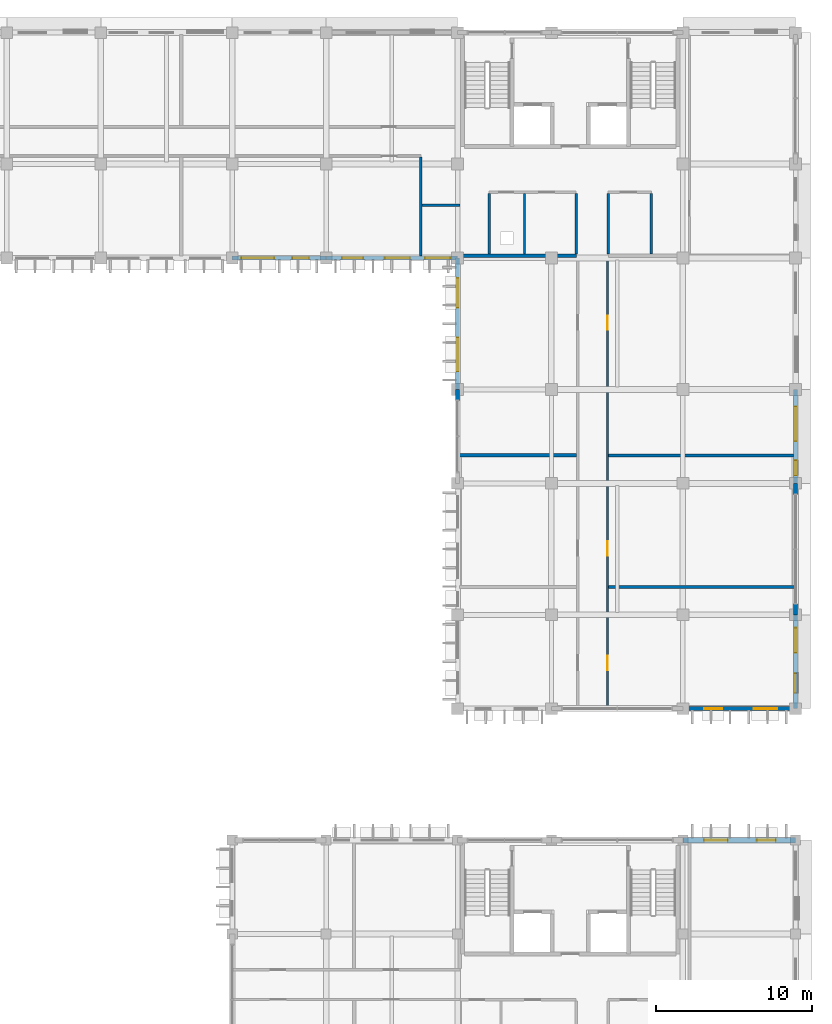
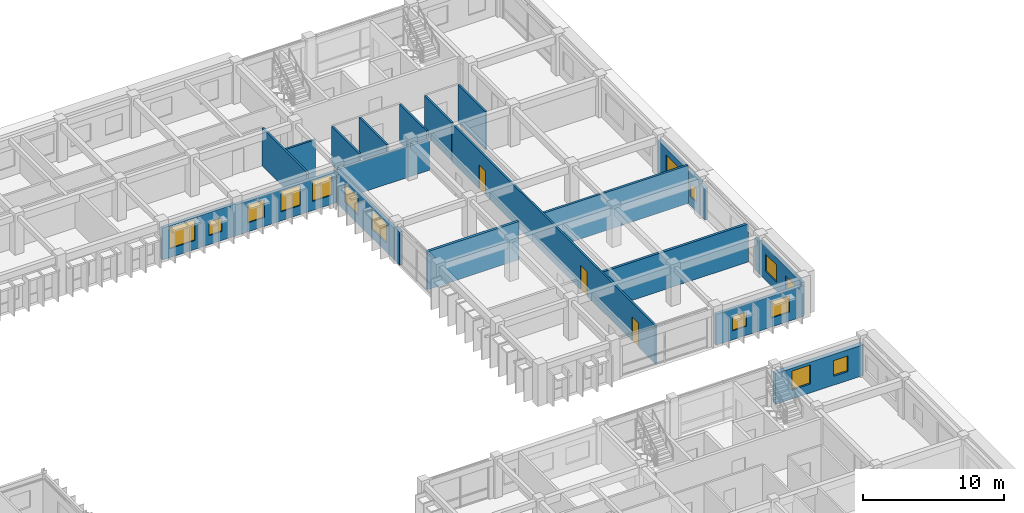
# One storey, part 65 of 88: 22 walls, 15 windows, 3 doors, 18 openings.
"""IFC4 building model written with IfcOpenShell, lengths in metres."""

from ifc_helpers import new_model, si_unit, direction, frame, frame_2d, origin, place, context, subcontext, project, spatial, rectangle, extrude, material, layer, layer_set, type_object, element, fill, save


model = new_model("IFC4")

# Units and contexts
model_context = context("Model", 3, precision=1e-05, world=origin(), true_north=direction((0.0, 1.0)))
body_context = subcontext(model_context, "Body", "Model", "MODEL_VIEW")
ifc_project = project(units=[si_unit("LENGTHUNIT", "METRE"), si_unit("AREAUNIT", "SQUARE_METRE"), si_unit("VOLUMEUNIT", "CUBIC_METRE"), si_unit("PLANEANGLEUNIT", "RADIAN"), si_unit("MASSUNIT", "GRAM", prefix="KILO"), si_unit("THERMODYNAMICTEMPERATUREUNIT", "KELVIN")], contexts=[model_context])

# Site, building, storey
site_placement = place(None, origin())
site = spatial("IfcSite", under=ifc_project, at=site_placement, CompositionType="ELEMENT")
building_placement = place(site_placement, origin())
building = spatial("IfcBuilding", under=site, at=building_placement, Name="Thalorik Housing Commons", CompositionType="ELEMENT")
storey_placement = place(building_placement, frame((0.0, 0.0, 4.5)))
storey = spatial("IfcBuildingStorey", under=building, at=storey_placement, Name="L01", CompositionType="ELEMENT", Elevation=4.5)

# Wall
ifc_material_1 = material(Name="Masonry fire-rated corridor wall", Category="masonry")
ifc_layer_1 = layer(ifc_material_1, 0.14990234375, Name="Masonry fire-rated corridor wall", Category="masonry")
ifc_layer_set_1 = layer_set([ifc_layer_1], Name="Masonry fire-rated corridor wall")
wall_type_1 = type_object("IfcWallType", Name="ARC-WAL-CORR-150", PredefinedType="PARTITIONING", material=ifc_layer_set_1)
wall_1_placement = place(storey_placement, frame((150.050048828125, 109.324462890625, 0.0), z_axis=(0.0, 0.0, 1.0), x_axis=(0.0, 1.0, 0.0)))
element("IfcWall", 1, at=wall_1_placement, inside=storey, type_object=wall_type_1, Name="L01 Block B Vestibule Cheek Wall", PredefinedType="PARTITIONING", context=body_context, shape_type="SweptSolid", body=[
    extrude(rectangle(XDim=6.318603515625, YDim=0.14990234375, at=frame_2d((3.1591796875, 0.0))), origin(), (0.0, 0.0, 1.0), 3.300048828125),
])

# Wall, openings, doors
wall_2_placement = place(storey_placement, frame((161.97998046875, 80.4599609375, 0.0), z_axis=(0.0, 0.0, 1.0), x_axis=(0.0, 1.0, 0.0)))
wall_2 = element("IfcWall", 2, at=wall_2_placement, inside=storey, type_object=wall_type_1, Name="L01 Block B E Corridor Wall 2", PredefinedType="PARTITIONING", context=body_context, shape_type="SweptSolid", body=[
    extrude(rectangle(XDim=28.880126953125, YDim=0.14990234375, at=frame_2d((14.43994140625, 0.0))), origin(), (0.0, 0.0, 1.0), 3.300048828125),
])
opening_1_placement = place(wall_2_placement, frame((2.40185546875, 0.0, 0.0)))
opening_1 = element("IfcOpeningElement", 3, at=opening_1_placement, cuts=wall_2, Name="Opening ID-1022", PredefinedType="OPENING", context=body_context, shape_type="SweptSolid", body=[
    extrude(rectangle(XDim=0.919921875, YDim=2.10009765625, at=frame_2d((0.4599609375, 1.050048828125))), frame((0.0, 0.0849609375, 0.0), z_axis=(0.0, -1.0, 0.0), x_axis=(1.0, 0.0, 0.0)), (0.0, 0.0, 1.0), 0.169921875),
])
opening_2_placement = place(wall_2_placement, frame((9.705078125, 0.0, 0.0)))
opening_2 = element("IfcOpeningElement", 4, at=opening_2_placement, cuts=wall_2, Name="Opening ID-1023", PredefinedType="OPENING", context=body_context, shape_type="SweptSolid", body=[
    extrude(rectangle(XDim=0.919921875, YDim=2.10009765625, at=frame_2d((0.4599609375, 1.050048828125))), frame((0.0, 0.0849609375, 0.0), z_axis=(0.0, -1.0, 0.0), x_axis=(1.0, 0.0, 0.0)), (0.0, 0.0, 1.0), 0.169921875),
])
opening_3_placement = place(wall_2_placement, frame((24.138916015625, 0.0, 0.0)))
opening_3 = element("IfcOpeningElement", 5, at=opening_3_placement, cuts=wall_2, Name="Opening ID-1024", PredefinedType="OPENING", context=body_context, shape_type="SweptSolid", body=[
    extrude(rectangle(XDim=0.919921875, YDim=2.10009765625, at=frame_2d((0.4599609375, 1.050048828125))), frame((0.0, 0.0849609375, 0.0), z_axis=(0.0, -1.0, 0.0), x_axis=(1.0, 0.0, 0.0)), (0.0, 0.0, 1.0), 0.169921875),
])
ifc_material_2 = material(Name="Solid core hardwood timber", Category="wood")
door_type = type_object("IfcDoorType", Name="ARC-DR-FD30-920", OperationType="NOTDEFINED", PredefinedType="DOOR", material=ifc_material_2)
door_1_placement = place(opening_1_placement, origin())
door_1 = element("IfcDoor", 6, at=door_1_placement, inside=storey, type_object=door_type, Name="L01 Music and Craft Practice Room Door", OperationType="SINGLE_SWING_LEFT", OverallHeight=2.10009765625, OverallWidth=0.919921875, PredefinedType="DOOR", context=body_context, shape_type="SweptSolid", body=[
    extrude(rectangle(XDim=0.919921875, YDim=2.10009765625, at=frame_2d((0.4599609375, 1.050048828125))), frame((0.0, 0.02490234375, 0.0), z_axis=(0.0, -1.0, 0.0), x_axis=(1.0, 0.0, 0.0)), (0.0, 0.0, 1.0), 0.050048828125),
])
fill(opening_1, door_1)
door_2_placement = place(opening_2_placement, origin())
door_2 = element("IfcDoor", 7, at=door_2_placement, inside=storey, type_object=door_type, Name="L01 Ceramics and Print Workshop Door", OperationType="SINGLE_SWING_RIGHT", OverallHeight=2.10009765625, OverallWidth=0.919921875, PredefinedType="DOOR", context=body_context, shape_type="SweptSolid", body=[
    extrude(rectangle(XDim=0.919921875, YDim=2.10009765625, at=frame_2d((0.4599609375, 1.050048828125))), frame((0.0, 0.02490234375, 0.0), z_axis=(0.0, -1.0, 0.0), x_axis=(1.0, 0.0, 0.0)), (0.0, 0.0, 1.0), 0.050048828125),
])
fill(opening_2, door_2)
door_3_placement = place(opening_3_placement, origin())
door_3 = element("IfcDoor", 8, at=door_3_placement, inside=storey, type_object=door_type, Name="L01 Residents Health and Quiet Room Door", OperationType="SINGLE_SWING_LEFT", OverallHeight=2.10009765625, OverallWidth=0.919921875, PredefinedType="DOOR", context=body_context, shape_type="SweptSolid", body=[
    extrude(rectangle(XDim=0.919921875, YDim=2.10009765625, at=frame_2d((0.4599609375, 1.050048828125))), frame((0.0, 0.02490234375, 0.0), z_axis=(0.0, -1.0, 0.0), x_axis=(1.0, 0.0, 0.0)), (0.0, 0.0, 1.0), 0.050048828125),
])
fill(opening_3, door_3)

# Wall
ifc_layer_2 = layer(ifc_material_1, 0.1650390625, Name="Masonry fire-rated corridor wall", Category="masonry")
ifc_layer_set_2 = layer_set([ifc_layer_2], Name="Masonry fire-rated corridor wall")
wall_type_2 = type_object("IfcWallType", Name="ARC-WAL-CORR-165", PredefinedType="PARTITIONING", material=ifc_layer_set_2)
wall_3_placement = place(storey_placement, frame((150.126953125, 112.570068359375, 0.0), z_axis=(0.0, 0.0, 1.0), x_axis=(1.0, 0.0, 0.0)))
element("IfcWall", 9, at=wall_3_placement, inside=storey, type_object=wall_type_2, Name="L01 Block B Vestibule South Wall", PredefinedType="PARTITIONING", context=body_context, shape_type="SweptSolid", body=[
    extrude(rectangle(XDim=2.4130859375, YDim=0.1650390625, at=frame_2d((1.20654296875, 0.0))), origin(), (0.0, 0.0, 1.0), 3.300048828125),
])

# Wall, openings, windows
ifc_material_3 = material(Name="White precast concrete C40/50", Category="concrete")
ifc_layer_3 = layer(ifc_material_3, 0.2451171875, Name="White precast concrete C40/50", Category="concrete")
ifc_layer_set_3 = layer_set([ifc_layer_3], Name="White precast concrete C40/50")
wall_type_3 = type_object("IfcWallType", Name="ARC-WAL-EXT-245", PredefinedType="STANDARD", material=ifc_layer_set_3)
wall_4_placement = place(storey_placement, frame((138.0, 109.199951171875, 0.0), z_axis=(0.0, 0.0, 1.0), x_axis=(1.0, 0.0, 0.0)))
wall_4 = element("IfcWall", 10, at=wall_4_placement, inside=storey, type_object=wall_type_3, Name="L01 Exterior Wall WAL-EXT-L01-B-0432", PredefinedType="STANDARD", context=body_context, shape_type="SweptSolid", body=[
    extrude(rectangle(XDim=6.0, YDim=0.2451171875, at=frame_2d((3.0, 0.0))), origin(), (0.0, 0.0, 1.0), 2.77490234375),
])
opening_4_placement = place(wall_4_placement, frame((0.580078125, 0.0, 0.780029296875)))
opening_4 = element("IfcOpeningElement", 11, at=opening_4_placement, cuts=wall_4, Name="Opening W-27", PredefinedType="OPENING", context=body_context, shape_type="SweptSolid", body=[
    extrude(rectangle(XDim=2.10009765625, YDim=1.800048828125, at=frame_2d((1.050048828125, 0.89990234375))), frame((0.0, 0.132568359375, 0.0), z_axis=(0.0, -1.0, 0.0), x_axis=(1.0, 0.0, 0.0)), (0.0, 0.0, 1.0), 0.26513671875),
])
opening_5_placement = place(wall_4_placement, frame((3.844970703125, 0.0, 0.780029296875)))
opening_5 = element("IfcOpeningElement", 12, at=opening_5_placement, cuts=wall_4, Name="Opening W-44", PredefinedType="OPENING", context=body_context, shape_type="SweptSolid", body=[
    extrude(rectangle(XDim=1.050048828125, YDim=1.199951171875, at=frame_2d((0.52490234375, 0.60009765625))), frame((0.0, 0.132568359375, 0.0), z_axis=(0.0, -1.0, 0.0), x_axis=(1.0, 0.0, 0.0)), (0.0, 0.0, 1.0), 0.26513671875),
])
ifc_material_4 = material(Name="Anodised aluminium and solar-control low-E glass", Category="aluminium")
window_type_1 = type_object("IfcWindowType", Name="ARC-WIN-27", PartitioningType="DOUBLE_PANEL_VERTICAL", PredefinedType="WINDOW", material=ifc_material_4)
window_1_placement = place(opening_4_placement, origin())
window_1 = element("IfcWindow", 13, at=window_1_placement, inside=storey, type_object=window_type_1, Name="L01 Facade Window 771", OverallHeight=1.800048828125, OverallWidth=2.10009765625, PartitioningType="DOUBLE_PANEL_VERTICAL", PredefinedType="WINDOW", context=body_context, shape_type="SweptSolid", body=[
    extrude(rectangle(XDim=2.10009765625, YDim=1.800048828125, at=frame_2d((1.050048828125, 0.89990234375))), frame((0.0, 0.030029296875, 0.0), z_axis=(0.0, -1.0, 0.0), x_axis=(1.0, 0.0, 0.0)), (0.0, 0.0, 1.0), 0.06005859375),
])
fill(opening_4, window_1)
window_type_2 = type_object("IfcWindowType", Name="ARC-WIN-44", PartitioningType="SINGLE_PANEL", PredefinedType="WINDOW", material=ifc_material_4)
window_2_placement = place(opening_5_placement, origin())
window_2 = element("IfcWindow", 14, at=window_2_placement, inside=storey, type_object=window_type_2, Name="L01 Facade Window 772", OverallHeight=1.199951171875, OverallWidth=1.050048828125, PartitioningType="SINGLE_PANEL", PredefinedType="WINDOW", context=body_context, shape_type="SweptSolid", body=[
    extrude(rectangle(XDim=1.050048828125, YDim=1.199951171875, at=frame_2d((0.52490234375, 0.60009765625))), frame((0.0, 0.030029296875, 0.0), z_axis=(0.0, -1.0, 0.0), x_axis=(1.0, 0.0, 0.0)), (0.0, 0.0, 1.0), 0.06005859375),
])
fill(opening_5, window_2)

wall_5_placement = place(storey_placement, frame((144.0, 109.199951171875, 0.0), z_axis=(0.0, 0.0, 1.0), x_axis=(1.0, 0.0, 0.0)))
wall_5 = element("IfcWall", 15, at=wall_5_placement, inside=storey, type_object=wall_type_3, Name="L01 Exterior Wall WAL-EXT-L01-B-0433", PredefinedType="STANDARD", context=body_context, shape_type="SweptSolid", body=[
    extrude(rectangle(XDim=8.39990234375, YDim=0.2451171875, at=frame_2d((4.199951171875, 0.0))), origin(), (0.0, 0.0, 1.0), 2.675048828125),
])
opening_6_placement = place(wall_5_placement, frame((1.014892578125, 0.0, 0.780029296875)))
opening_6 = element("IfcOpeningElement", 16, at=opening_6_placement, cuts=wall_5, Name="Opening W-07", PredefinedType="OPENING", context=body_context, shape_type="SweptSolid", body=[
    extrude(rectangle(XDim=1.35009765625, YDim=1.550048828125, at=frame_2d((0.675048828125, 0.77490234375))), frame((0.0, 0.132568359375, 0.0), z_axis=(0.0, -1.0, 0.0), x_axis=(1.0, 0.0, 0.0)), (0.0, 0.0, 1.0), 0.26513671875),
])
opening_7_placement = place(wall_5_placement, frame((3.75, 0.0, 0.780029296875)))
opening_7 = element("IfcOpeningElement", 17, at=opening_7_placement, cuts=wall_5, Name="Opening W-14", PredefinedType="OPENING", context=body_context, shape_type="SweptSolid", body=[
    extrude(rectangle(XDim=1.60009765625, YDim=1.75, at=frame_2d((0.800048828125, 0.875))), frame((0.0, 0.132568359375, 0.0), z_axis=(0.0, -1.0, 0.0), x_axis=(1.0, 0.0, 0.0)), (0.0, 0.0, 1.0), 0.26513671875),
])
opening_8_placement = place(wall_5_placement, frame((6.330078125, 0.0, 0.780029296875)))
opening_8 = element("IfcOpeningElement", 18, at=opening_8_placement, cuts=wall_5, Name="Opening W-14", PredefinedType="OPENING", context=body_context, shape_type="SweptSolid", body=[
    extrude(rectangle(XDim=1.60009765625, YDim=1.75, at=frame_2d((0.800048828125, 0.875))), frame((0.0, 0.132568359375, 0.0), z_axis=(0.0, -1.0, 0.0), x_axis=(1.0, 0.0, 0.0)), (0.0, 0.0, 1.0), 0.26513671875),
])
window_type_3 = type_object("IfcWindowType", Name="ARC-WIN-07", PartitioningType="SINGLE_PANEL", PredefinedType="WINDOW", material=ifc_material_4)
window_3_placement = place(opening_6_placement, origin())
window_3 = element("IfcWindow", 19, at=window_3_placement, inside=storey, type_object=window_type_3, Name="L01 Facade Window 773", OverallHeight=1.550048828125, OverallWidth=1.35009765625, PartitioningType="SINGLE_PANEL", PredefinedType="WINDOW", context=body_context, shape_type="SweptSolid", body=[
    extrude(rectangle(XDim=1.35009765625, YDim=1.550048828125, at=frame_2d((0.675048828125, 0.77490234375))), frame((0.0, 0.030029296875, 0.0), z_axis=(0.0, -1.0, 0.0), x_axis=(1.0, 0.0, 0.0)), (0.0, 0.0, 1.0), 0.06005859375),
])
fill(opening_6, window_3)
window_type_4 = type_object("IfcWindowType", Name="ARC-WIN-14", PartitioningType="DOUBLE_PANEL_VERTICAL", PredefinedType="WINDOW", material=ifc_material_4)
window_4_placement = place(opening_7_placement, origin())
window_4 = element("IfcWindow", 20, at=window_4_placement, inside=storey, type_object=window_type_4, Name="L01 Facade Window 774", OverallHeight=1.75, OverallWidth=1.60009765625, PartitioningType="DOUBLE_PANEL_VERTICAL", PredefinedType="WINDOW", context=body_context, shape_type="SweptSolid", body=[
    extrude(rectangle(XDim=1.60009765625, YDim=1.75, at=frame_2d((0.800048828125, 0.875))), frame((0.0, 0.030029296875, 0.0), z_axis=(0.0, -1.0, 0.0), x_axis=(1.0, 0.0, 0.0)), (0.0, 0.0, 1.0), 0.06005859375),
])
fill(opening_7, window_4)
window_5_placement = place(opening_8_placement, origin())
window_5 = element("IfcWindow", 21, at=window_5_placement, inside=storey, type_object=window_type_4, Name="L01 Facade Window 775", OverallHeight=1.75, OverallWidth=1.60009765625, PartitioningType="DOUBLE_PANEL_VERTICAL", PredefinedType="WINDOW", context=body_context, shape_type="SweptSolid", body=[
    extrude(rectangle(XDim=1.60009765625, YDim=1.75, at=frame_2d((0.800048828125, 0.875))), frame((0.0, 0.030029296875, 0.0), z_axis=(0.0, -1.0, 0.0), x_axis=(1.0, 0.0, 0.0)), (0.0, 0.0, 1.0), 0.06005859375),
])
fill(opening_8, window_5)

wall_6_placement = place(storey_placement, frame((152.39990234375, 109.199951171875, 0.0), z_axis=(0.0, 0.0, 1.0), x_axis=(0.0, -1.0, 0.0)))
wall_6 = element("IfcWall", 22, at=wall_6_placement, inside=storey, type_object=wall_type_3, Name="L01 Exterior Wall WAL-EXT-L01-B-0434", PredefinedType="STANDARD", context=body_context, shape_type="SweptSolid", body=[
    extrude(rectangle(XDim=8.39990234375, YDim=0.2451171875, at=frame_2d((4.199951171875, 0.0))), origin(), (0.0, 0.0, 1.0), 2.72509765625),
])
opening_9_placement = place(wall_6_placement, frame((1.280029296875, 0.0, 0.780029296875)))
opening_9 = element("IfcOpeningElement", 23, at=opening_9_placement, cuts=wall_6, Name="Opening W-21", PredefinedType="OPENING", context=body_context, shape_type="SweptSolid", body=[
    extrude(rectangle(XDim=1.89990234375, YDim=1.550048828125, at=frame_2d((0.949951171875, 0.77490234375))), frame((0.0, 0.132568359375, 0.0), z_axis=(0.0, -1.0, 0.0), x_axis=(1.0, 0.0, 0.0)), (0.0, 0.0, 1.0), 0.26513671875),
])
opening_10_placement = place(wall_6_placement, frame((5.094970703125, 0.0, 0.780029296875)))
opening_10 = element("IfcOpeningElement", 24, at=opening_10_placement, cuts=wall_6, Name="Opening W-28", PredefinedType="OPENING", context=body_context, shape_type="SweptSolid", body=[
    extrude(rectangle(XDim=2.14990234375, YDim=1.64990234375, at=frame_2d((1.074951171875, 0.824951171875))), frame((0.0, 0.132568359375, 0.0), z_axis=(0.0, -1.0, 0.0), x_axis=(1.0, 0.0, 0.0)), (0.0, 0.0, 1.0), 0.26513671875),
])
window_type_5 = type_object("IfcWindowType", Name="ARC-WIN-21", PartitioningType="DOUBLE_PANEL_VERTICAL", PredefinedType="WINDOW", material=ifc_material_4)
window_6_placement = place(opening_9_placement, origin())
window_6 = element("IfcWindow", 25, at=window_6_placement, inside=storey, type_object=window_type_5, Name="L01 Facade Window 776", OverallHeight=1.550048828125, OverallWidth=1.89990234375, PartitioningType="DOUBLE_PANEL_VERTICAL", PredefinedType="WINDOW", context=body_context, shape_type="SweptSolid", body=[
    extrude(rectangle(XDim=1.89990234375, YDim=1.550048828125, at=frame_2d((0.949951171875, 0.77490234375))), frame((0.0, 0.030029296875, 0.0), z_axis=(0.0, -1.0, 0.0), x_axis=(1.0, 0.0, 0.0)), (0.0, 0.0, 1.0), 0.06005859375),
])
fill(opening_9, window_6)
window_type_6 = type_object("IfcWindowType", Name="ARC-WIN-28", PartitioningType="DOUBLE_PANEL_VERTICAL", PredefinedType="WINDOW", material=ifc_material_4)
window_7_placement = place(opening_10_placement, origin())
window_7 = element("IfcWindow", 26, at=window_7_placement, inside=storey, type_object=window_type_6, Name="L01 Facade Window 777", OverallHeight=1.64990234375, OverallWidth=2.14990234375, PartitioningType="DOUBLE_PANEL_VERTICAL", PredefinedType="WINDOW", context=body_context, shape_type="SweptSolid", body=[
    extrude(rectangle(XDim=2.14990234375, YDim=1.64990234375, at=frame_2d((1.074951171875, 0.824951171875))), frame((0.0, 0.030029296875, 0.0), z_axis=(0.0, -1.0, 0.0), x_axis=(1.0, 0.0, 0.0)), (0.0, 0.0, 1.0), 0.06005859375),
])
fill(opening_10, window_7)

# Wall
wall_7_placement = place(storey_placement, frame((152.39990234375, 100.800048828125, 0.0), z_axis=(0.0, 0.0, 1.0), x_axis=(0.0, -1.0, 0.0)))
element("IfcWall", 27, at=wall_7_placement, inside=storey, type_object=wall_type_3, Name="L01 Exterior Wall WAL-PIERL-L01-B-0435", PredefinedType="STANDARD", context=body_context, shape_type="SweptSolid", body=[
    extrude(rectangle(XDim=0.699951171875, YDim=0.2451171875, at=frame_2d((0.35009765625, 0.0))), origin(), (0.0, 0.0, 1.0), 2.875),
])

# Wall, openings, windows
wall_8_placement = place(storey_placement, frame((166.800048828125, 80.39990234375, 0.0), z_axis=(0.0, 0.0, 1.0), x_axis=(1.0, 0.0, 0.0)))
wall_8 = element("IfcWall", 28, at=wall_8_placement, inside=storey, type_object=wall_type_3, Name="L01 Exterior Wall WAL-EXT-L01-B-0440", PredefinedType="STANDARD", context=body_context, shape_type="SweptSolid", body=[
    extrude(rectangle(XDim=7.199951171875, YDim=0.2451171875, at=frame_2d((3.60009765625, 0.0))), origin(), (0.0, 0.0, 1.0), 2.675048828125),
])
opening_11_placement = place(wall_8_placement, frame((1.35498046875, 0.0, 0.780029296875)))
opening_11 = element("IfcOpeningElement", 29, at=opening_11_placement, cuts=wall_8, Name="Opening W-45", PredefinedType="OPENING", context=body_context, shape_type="SweptSolid", body=[
    extrude(rectangle(XDim=1.14990234375, YDim=1.25, at=frame_2d((0.574951171875, 0.625))), frame((0.0, 0.132568359375, 0.0), z_axis=(0.0, -1.0, 0.0), x_axis=(1.0, 0.0, 0.0)), (0.0, 0.0, 1.0), 0.26513671875),
])
opening_12_placement = place(wall_8_placement, frame((4.510009765625, 0.0, 0.780029296875)))
opening_12 = element("IfcOpeningElement", 30, at=opening_12_placement, cuts=wall_8, Name="Opening W-52", PredefinedType="OPENING", context=body_context, shape_type="SweptSolid", body=[
    extrude(rectangle(XDim=1.52001953125, YDim=1.419921875, at=frame_2d((0.760009765625, 0.7099609375))), frame((0.0, 0.132568359375, 0.0), z_axis=(0.0, -1.0, 0.0), x_axis=(1.0, 0.0, 0.0)), (0.0, 0.0, 1.0), 0.26513671875),
])
window_type_7 = type_object("IfcWindowType", Name="ARC-WIN-45", PartitioningType="SINGLE_PANEL", PredefinedType="WINDOW", material=ifc_material_4)
window_8_placement = place(opening_11_placement, origin())
window_8 = element("IfcWindow", 31, at=window_8_placement, inside=storey, type_object=window_type_7, Name="L01 Facade Window 785", OverallHeight=1.25, OverallWidth=1.14990234375, PartitioningType="SINGLE_PANEL", PredefinedType="WINDOW", context=body_context, shape_type="SweptSolid", body=[
    extrude(rectangle(XDim=1.14990234375, YDim=1.25, at=frame_2d((0.574951171875, 0.625))), frame((0.0, 0.030029296875, 0.0), z_axis=(0.0, -1.0, 0.0), x_axis=(1.0, 0.0, 0.0)), (0.0, 0.0, 1.0), 0.06005859375),
])
fill(opening_11, window_8)
window_type_8 = type_object("IfcWindowType", Name="ARC-WIN-52", PartitioningType="SINGLE_PANEL", PredefinedType="WINDOW", material=ifc_material_4)
window_9_placement = place(opening_12_placement, origin())
window_9 = element("IfcWindow", 32, at=window_9_placement, inside=storey, type_object=window_type_8, Name="L01 Facade Window 786", OverallHeight=1.419921875, OverallWidth=1.52001953125, PartitioningType="SINGLE_PANEL", PredefinedType="WINDOW", context=body_context, shape_type="SweptSolid", body=[
    extrude(rectangle(XDim=1.52001953125, YDim=1.419921875, at=frame_2d((0.760009765625, 0.7099609375))), frame((0.0, 0.030029296875, 0.0), z_axis=(0.0, -1.0, 0.0), x_axis=(1.0, 0.0, 0.0)), (0.0, 0.0, 1.0), 0.06005859375),
])
fill(opening_12, window_9)

wall_9_placement = place(storey_placement, frame((174.0, 80.39990234375, 0.0), z_axis=(0.0, 0.0, 1.0), x_axis=(0.0, 1.0, 0.0)))
wall_9 = element("IfcWall", 33, at=wall_9_placement, inside=storey, type_object=wall_type_3, Name="L01 Exterior Wall WAL-EXT-L01-B-0441", PredefinedType="STANDARD", context=body_context, shape_type="SweptSolid", body=[
    extrude(rectangle(XDim=6.0, YDim=0.2451171875, at=frame_2d((3.0, 0.0))), origin(), (0.0, 0.0, 1.0), 2.875),
])
opening_13_placement = place(wall_9_placement, frame((1.0048828125, 0.0, 0.780029296875)))
opening_13 = element("IfcOpeningElement", 34, at=opening_13_placement, cuts=wall_9, Name="Opening W-46", PredefinedType="OPENING", context=body_context, shape_type="SweptSolid", body=[
    extrude(rectangle(XDim=1.25, YDim=1.300048828125, at=frame_2d((0.625, 0.64990234375))), frame((0.0, 0.132568359375, 0.0), z_axis=(0.0, -1.0, 0.0), x_axis=(1.0, 0.0, 0.0)), (0.0, 0.0, 1.0), 0.26513671875),
])
opening_14_placement = place(wall_9_placement, frame((3.580078125, 0.0, 0.780029296875)))
opening_14 = element("IfcOpeningElement", 35, at=opening_14_placement, cuts=wall_9, Name="Opening W-53", PredefinedType="OPENING", context=body_context, shape_type="SweptSolid", body=[
    extrude(rectangle(XDim=1.580078125, YDim=1.47998046875, at=frame_2d((0.7900390625, 0.739990234375))), frame((0.0, 0.132568359375, 0.0), z_axis=(0.0, -1.0, 0.0), x_axis=(1.0, 0.0, 0.0)), (0.0, 0.0, 1.0), 0.26513671875),
])
window_type_9 = type_object("IfcWindowType", Name="ARC-WIN-46", PartitioningType="SINGLE_PANEL", PredefinedType="WINDOW", material=ifc_material_4)
window_10_placement = place(opening_13_placement, origin())
window_10 = element("IfcWindow", 36, at=window_10_placement, inside=storey, type_object=window_type_9, Name="L01 Facade Window 787", OverallHeight=1.300048828125, OverallWidth=1.25, PartitioningType="SINGLE_PANEL", PredefinedType="WINDOW", context=body_context, shape_type="SweptSolid", body=[
    extrude(rectangle(XDim=1.25, YDim=1.300048828125, at=frame_2d((0.625, 0.64990234375))), frame((0.0, 0.030029296875, 0.0), z_axis=(0.0, -1.0, 0.0), x_axis=(1.0, 0.0, 0.0)), (0.0, 0.0, 1.0), 0.06005859375),
])
fill(opening_13, window_10)
window_type_10 = type_object("IfcWindowType", Name="ARC-WIN-53", PartitioningType="SINGLE_PANEL", PredefinedType="WINDOW", material=ifc_material_4)
window_11_placement = place(opening_14_placement, origin())
window_11 = element("IfcWindow", 37, at=window_11_placement, inside=storey, type_object=window_type_10, Name="L01 Facade Window 788", OverallHeight=1.47998046875, OverallWidth=1.580078125, PartitioningType="SINGLE_PANEL", PredefinedType="WINDOW", context=body_context, shape_type="SweptSolid", body=[
    extrude(rectangle(XDim=1.580078125, YDim=1.47998046875, at=frame_2d((0.7900390625, 0.739990234375))), frame((0.0, 0.030029296875, 0.0), z_axis=(0.0, -1.0, 0.0), x_axis=(1.0, 0.0, 0.0)), (0.0, 0.0, 1.0), 0.06005859375),
])
fill(opening_14, window_11)

# Walls
wall_10_placement = place(storey_placement, frame((174.0, 86.39990234375, 0.0), z_axis=(0.0, 0.0, 1.0), x_axis=(0.0, 1.0, 0.0)))
element("IfcWall", 38, at=wall_10_placement, inside=storey, type_object=wall_type_3, Name="L01 Exterior Wall WAL-PIERL-L01-B-0442", PredefinedType="STANDARD", context=body_context, shape_type="SweptSolid", body=[
    extrude(rectangle(XDim=0.7001953125, YDim=0.2451171875, at=frame_2d((0.35009765625, 0.0))), origin(), (0.0, 0.0, 1.0), 2.72509765625),
])
wall_11_placement = place(storey_placement, frame((174.0, 94.10009765625, 0.0), z_axis=(0.0, 0.0, 1.0), x_axis=(0.0, 1.0, 0.0)))
element("IfcWall", 39, at=wall_11_placement, inside=storey, type_object=wall_type_3, Name="L01 Exterior Wall WAL-PIERR-L01-B-0442", PredefinedType="STANDARD", context=body_context, shape_type="SweptSolid", body=[
    extrude(rectangle(XDim=0.699951171875, YDim=0.2451171875, at=frame_2d((0.35009765625, 0.0))), origin(), (0.0, 0.0, 1.0), 2.72509765625),
])

# Wall, openings, windows
wall_12_placement = place(storey_placement, frame((174.0, 94.800048828125, 0.0), z_axis=(0.0, 0.0, 1.0), x_axis=(0.0, 1.0, 0.0)))
wall_12 = element("IfcWall", 40, at=wall_12_placement, inside=storey, type_object=wall_type_3, Name="L01 Exterior Wall WAL-EXT-L01-B-0443", PredefinedType="STANDARD", context=body_context, shape_type="SweptSolid", body=[
    extrude(rectangle(XDim=6.0, YDim=0.2451171875, at=frame_2d((3.0, 0.0))), origin(), (0.0, 0.0, 1.0), 2.875),
])
opening_15_placement = place(wall_12_placement, frame((0.510009765625, 0.0, 0.780029296875)))
opening_15 = element("IfcOpeningElement", 41, at=opening_15_placement, cuts=wall_12, Name="Opening W-43", PredefinedType="OPENING", context=body_context, shape_type="SweptSolid", body=[
    extrude(rectangle(XDim=0.949951171875, YDim=1.14990234375, at=frame_2d((0.47509765625, 0.574951171875))), frame((0.0, 0.132568359375, 0.0), z_axis=(0.0, -1.0, 0.0), x_axis=(1.0, 0.0, 0.0)), (0.0, 0.0, 1.0), 0.26513671875),
])
opening_16_placement = place(wall_12_placement, frame((2.695068359375, 0.0, 0.780029296875)))
opening_16 = element("IfcOpeningElement", 42, at=opening_16_placement, cuts=wall_12, Name="Opening W-29", PredefinedType="OPENING", context=body_context, shape_type="SweptSolid", body=[
    extrude(rectangle(XDim=2.199951171875, YDim=1.5, at=frame_2d((1.10009765625, 0.75))), frame((0.0, 0.132568359375, 0.0), z_axis=(0.0, -1.0, 0.0), x_axis=(1.0, 0.0, 0.0)), (0.0, 0.0, 1.0), 0.26513671875),
])
window_type_11 = type_object("IfcWindowType", Name="ARC-WIN-29", PartitioningType="DOUBLE_PANEL_VERTICAL", PredefinedType="WINDOW", material=ifc_material_4)
window_12_placement = place(opening_16_placement, origin())
window_12 = element("IfcWindow", 43, at=window_12_placement, inside=storey, type_object=window_type_11, Name="L01 Facade Window 790", OverallHeight=1.5, OverallWidth=2.199951171875, PartitioningType="DOUBLE_PANEL_VERTICAL", PredefinedType="WINDOW", context=body_context, shape_type="SweptSolid", body=[
    extrude(rectangle(XDim=2.199951171875, YDim=1.5, at=frame_2d((1.10009765625, 0.75))), frame((0.0, 0.030029296875, 0.0), z_axis=(0.0, -1.0, 0.0), x_axis=(1.0, 0.0, 0.0)), (0.0, 0.0, 1.0), 0.06005859375),
])
fill(opening_16, window_12)
window_type_12 = type_object("IfcWindowType", Name="ARC-WIN-43", PartitioningType="SINGLE_PANEL", PredefinedType="WINDOW", material=ifc_material_4)
window_13_placement = place(opening_15_placement, origin())
window_13 = element("IfcWindow", 44, at=window_13_placement, inside=storey, type_object=window_type_12, Name="L01 Facade Window 789", OverallHeight=1.14990234375, OverallWidth=0.949951171875, PartitioningType="SINGLE_PANEL", PredefinedType="WINDOW", context=body_context, shape_type="SweptSolid", body=[
    extrude(rectangle(XDim=0.949951171875, YDim=1.14990234375, at=frame_2d((0.47509765625, 0.574951171875))), frame((0.0, 0.030029296875, 0.0), z_axis=(0.0, -1.0, 0.0), x_axis=(1.0, 0.0, 0.0)), (0.0, 0.0, 1.0), 0.06005859375),
])
fill(opening_15, window_13)

ifc_layer_4 = layer(ifc_material_3, 0.35009765625, Name="White precast concrete C40/50", Category="concrete")
ifc_layer_set_4 = layer_set([ifc_layer_4], Name="White precast concrete C40/50")
wall_type_4 = type_object("IfcWallType", Name="ARC-WAL-EXT-350", PredefinedType="STANDARD", material=ifc_layer_set_4)
wall_13_placement = place(storey_placement, frame((174.0, 72.0, 0.0), z_axis=(0.0, 0.0, 1.0), x_axis=(-1.0, 0.0, 0.0)))
wall_13 = element("IfcWall", 45, at=wall_13_placement, inside=storey, type_object=wall_type_4, Name="L01 Exterior Wall WAL-EXT-L01-D-1142", PredefinedType="STANDARD", context=body_context, shape_type="SweptSolid", body=[
    extrude(rectangle(XDim=7.199951171875, YDim=0.35009765625, at=frame_2d((3.60009765625, 0.0))), origin(), (0.0, 0.0, 1.0), 2.675048828125),
])
opening_17_placement = place(wall_13_placement, frame((1.2724609375, 0.0, 0.780029296875)))
opening_17 = element("IfcOpeningElement", 46, at=opening_17_placement, cuts=wall_13, Name="Opening W-04", PredefinedType="OPENING", context=body_context, shape_type="SweptSolid", body=[
    extrude(rectangle(XDim=1.199951171875, YDim=1.35009765625, at=frame_2d((0.60009765625, 0.675048828125))), frame((0.0, 0.18505859375, 0.0), z_axis=(0.0, -1.0, 0.0), x_axis=(1.0, 0.0, 0.0)), (0.0, 0.0, 1.0), 0.3701171875),
])
opening_18_placement = place(wall_13_placement, frame((4.347412109375, 0.0, 0.780029296875)))
opening_18 = element("IfcOpeningElement", 47, at=opening_18_placement, cuts=wall_13, Name="Opening W-11", PredefinedType="OPENING", context=body_context, shape_type="SweptSolid", body=[
    extrude(rectangle(XDim=1.5, YDim=1.64990234375, at=frame_2d((0.75, 0.824951171875))), frame((0.0, 0.18505859375, 0.0), z_axis=(0.0, -1.0, 0.0), x_axis=(1.0, 0.0, 0.0)), (0.0, 0.0, 1.0), 0.3701171875),
])
window_type_13 = type_object("IfcWindowType", Name="ARC-WIN-04", PartitioningType="SINGLE_PANEL", PredefinedType="WINDOW", material=ifc_material_4)
window_14_placement = place(opening_17_placement, origin())
window_14 = element("IfcWindow", 48, at=window_14_placement, inside=storey, type_object=window_type_13, Name="L01 Facade Window 2094", OverallHeight=1.35009765625, OverallWidth=1.199951171875, PartitioningType="SINGLE_PANEL", PredefinedType="WINDOW", context=body_context, shape_type="SweptSolid", body=[
    extrude(rectangle(XDim=1.199951171875, YDim=1.35009765625, at=frame_2d((0.60009765625, 0.675048828125))), frame((0.0, 0.030029296875, 0.0), z_axis=(0.0, -1.0, 0.0), x_axis=(1.0, 0.0, 0.0)), (0.0, 0.0, 1.0), 0.06005859375),
])
fill(opening_17, window_14)
window_type_14 = type_object("IfcWindowType", Name="ARC-WIN-11", PartitioningType="SINGLE_PANEL", PredefinedType="WINDOW", material=ifc_material_4)
window_15_placement = place(opening_18_placement, origin())
window_15 = element("IfcWindow", 49, at=window_15_placement, inside=storey, type_object=window_type_14, Name="L01 Facade Window 2095", OverallHeight=1.64990234375, OverallWidth=1.5, PartitioningType="SINGLE_PANEL", PredefinedType="WINDOW", context=body_context, shape_type="SweptSolid", body=[
    extrude(rectangle(XDim=1.5, YDim=1.64990234375, at=frame_2d((0.75, 0.824951171875))), frame((0.0, 0.030029296875, 0.0), z_axis=(0.0, -1.0, 0.0), x_axis=(1.0, 0.0, 0.0)), (0.0, 0.0, 1.0), 0.06005859375),
])
fill(opening_18, window_15)

# Walls
ifc_material_5 = material(Name="Ceramic masonry partition wall", Category="masonry")
ifc_layer_5 = layer(ifc_material_5, 0.14794921875, Name="Ceramic masonry partition wall", Category="masonry")
ifc_layer_set_5 = layer_set([ifc_layer_5], Name="Ceramic masonry partition wall")
wall_type_5 = type_object("IfcWallType", Name="ARC-WAL-PART-150", PredefinedType="PARTITIONING", material=ifc_layer_set_5)
for number, where, z_axis, x_axis, name in (
    (50, (154.419921875, 113.323974609375, 0.0), (0.0, 0.0, 1.0), (0.0, -1.0, 0.0), "Core West Enclosing Wall"),
    (51, (156.675048828125, 113.323974609375, 0.0), (0.0, 0.0, 1.0), (0.0, -1.0, 0.0), "Riser Wall"),
    (52, (159.97509765625, 113.323974609375, 0.0), (0.0, 0.0, 1.0), (0.0, -1.0, 0.0), "Core Stem West Cheek Wall"),
):
    element("IfcWall", number, at=place(storey_placement, frame(where, z_axis=z_axis, x_axis=x_axis)), inside=storey, type_object=wall_type_5, Name=name, PredefinedType="PARTITIONING", context=body_context, shape_type="SweptSolid", body=[
        extrude(rectangle(XDim=3.882080078125, YDim=0.14794921875, at=frame_2d((1.94091796875, 0.0))), origin(), (0.0, 0.0, 1.0), 3.300048828125),
    ])
for number, where, z_axis, x_axis, name in (
    (53, (162.02490234375, 113.323974609375, 0.0), (0.0, 0.0, 1.0), (0.0, -1.0, 0.0), "Core Stem East Cheek Wall"),
    (54, (164.780029296875, 113.323974609375, 0.0), (0.0, 0.0, 1.0), (0.0, -1.0, 0.0), "Core East Enclosing Wall"),
):
    element("IfcWall", number, at=place(storey_placement, frame(where, z_axis=z_axis, x_axis=x_axis)), inside=storey, type_object=wall_type_5, Name=name, PredefinedType="PARTITIONING", context=body_context, shape_type="SweptSolid", body=[
        extrude(rectangle(XDim=3.8720703125, YDim=0.14794921875, at=frame_2d((1.93603515625, 0.0))), origin(), (0.0, 0.0, 1.0), 3.300048828125),
    ])
ifc_material_6 = material(Name="Masonry acoustic blockwork wall", Category="masonry")
ifc_layer_6 = layer(ifc_material_6, 0.18505859375, Name="Masonry acoustic blockwork wall", Category="masonry")
ifc_layer_set_6 = layer_set([ifc_layer_6], Name="Masonry acoustic blockwork wall")
wall_type_6 = type_object("IfcWallType", Name="ARC-WAL-PARTY-185", PredefinedType="PARTITIONING", material=ifc_layer_set_6)
wall_14_placement = place(storey_placement, frame((162.056884765625, 96.580078125, 0.0), z_axis=(0.0, 0.0, 1.0), x_axis=(1.0, 0.0, 0.0)))
element("IfcWall", 55, at=wall_14_placement, inside=storey, type_object=wall_type_6, Name="L01 Inter-Tenancy Wall 2B", PredefinedType="PARTITIONING", context=body_context, shape_type="SweptSolid", body=[
    extrude(rectangle(XDim=11.818603515625, YDim=0.18505859375, at=frame_2d((5.9091796875, 0.0))), origin(), (0.0, 0.0, 1.0), 3.300048828125),
])
ifc_material_7 = material(Name="Precast concrete C40/50 acoustic wall", Category="concrete")
ifc_layer_7 = layer(ifc_material_7, 0.199951171875, Name="Precast concrete C40/50 acoustic wall", Category="concrete")
ifc_layer_set_7 = layer_set([ifc_layer_7], Name="Precast concrete C40/50 acoustic wall")
wall_type_7 = type_object("IfcWallType", Name="ARC-WAL-PARTY-200", PredefinedType="PARTITIONING", material=ifc_layer_set_7)
wall_15_placement = place(storey_placement, frame((162.056884765625, 88.179931640625, 0.0), z_axis=(0.0, 0.0, 1.0), x_axis=(1.0, 0.0, 0.0)))
element("IfcWall", 56, at=wall_15_placement, inside=storey, type_object=wall_type_7, Name="L01 Inter-Tenancy Wall 1B", PredefinedType="PARTITIONING", context=body_context, shape_type="SweptSolid", body=[
    extrude(rectangle(XDim=11.883056640625, YDim=0.199951171875, at=frame_2d((5.94140625, 0.0))), origin(), (0.0, 0.0, 1.0), 3.300048828125),
])
wall_16_placement = place(storey_placement, frame((152.4599609375, 109.340087890625, 0.0), z_axis=(0.0, 0.0, 1.0), x_axis=(1.0, 0.0, 0.0)))
element("IfcWall", 57, at=wall_16_placement, inside=storey, type_object=wall_type_7, Name="L01 Core End Wall A", PredefinedType="PARTITIONING", context=body_context, shape_type="SweptSolid", body=[
    extrude(rectangle(XDim=7.53564453125, YDim=0.199951171875, at=frame_2d((3.767822265625, 0.0))), origin(), (0.0, 0.0, 1.0), 2.675048828125),
])
ifc_layer_8 = layer(ifc_material_7, 0.219970703125, Name="Precast concrete C40/50 acoustic wall", Category="concrete")
ifc_layer_set_8 = layer_set([ifc_layer_8], Name="Precast concrete C40/50 acoustic wall")
wall_type_8 = type_object("IfcWallType", Name="ARC-WAL-PARTY-220", PredefinedType="PARTITIONING", material=ifc_layer_set_8)
wall_17_placement = place(storey_placement, frame((152.4599609375, 96.580078125, 0.0), z_axis=(0.0, 0.0, 1.0), x_axis=(1.0, 0.0, 0.0)))
element("IfcWall", 58, at=wall_17_placement, inside=storey, type_object=wall_type_8, Name="L01 Inter-Tenancy Wall 2A", PredefinedType="PARTITIONING", context=body_context, shape_type="SweptSolid", body=[
    extrude(rectangle(XDim=7.53564453125, YDim=0.219970703125, at=frame_2d((3.767822265625, 0.0))), origin(), (0.0, 0.0, 1.0), 3.300048828125),
])

save(model, "model.ifc")
